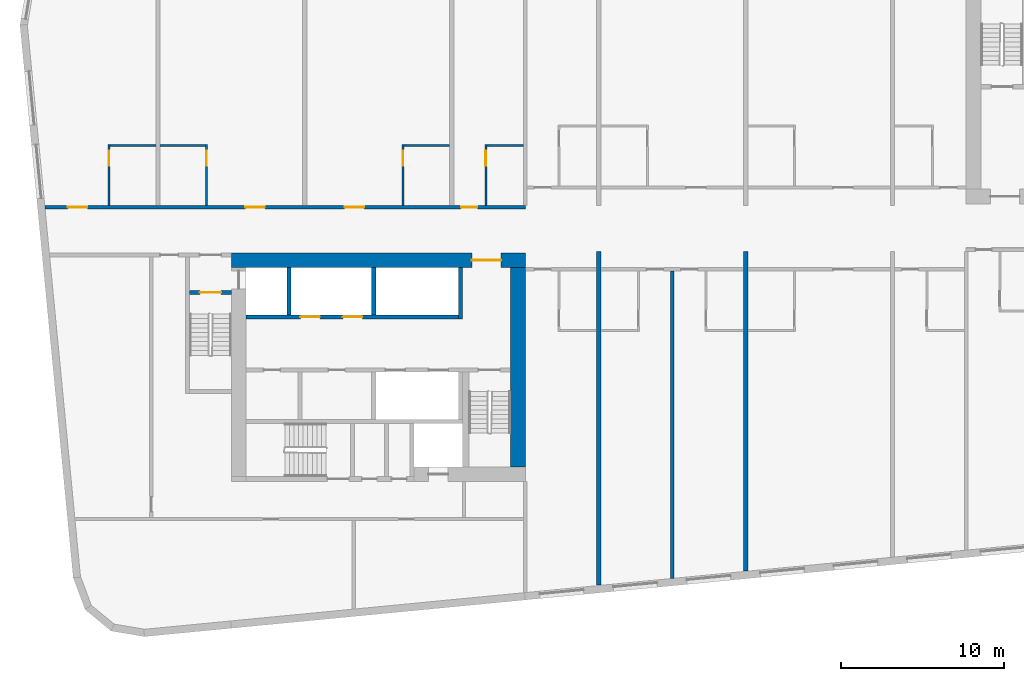
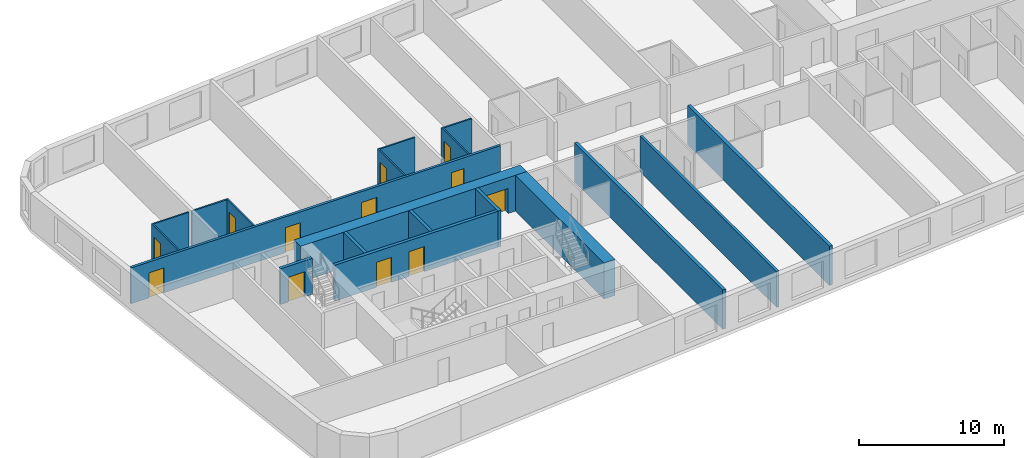
# One storey, part 3 of 12: 19 walls, 12 doors, 12 openings.
"""IFC4 building model written with IfcOpenShell, lengths in metres."""

from ifc_helpers import new_model, si_unit, direction, frame, frame_2d, origin, place, context, subcontext, project, spatial, rectangle, extrude, material, layer, layer_set, type_object, element, fill, save


model = new_model("IFC4")

# Units and contexts
model_context = context("Model", 3, precision=1e-05, world=origin(), true_north=direction((0.0, 1.0)))
body_context = subcontext(model_context, "Body", "Model", "MODEL_VIEW")
ifc_project = project(units=[si_unit("LENGTHUNIT", "METRE"), si_unit("AREAUNIT", "SQUARE_METRE"), si_unit("VOLUMEUNIT", "CUBIC_METRE"), si_unit("PLANEANGLEUNIT", "RADIAN"), si_unit("MASSUNIT", "GRAM", prefix="KILO")], contexts=[model_context])

# Site, building, storey
site_placement = place(None, origin())
site = spatial("IfcSite", under=ifc_project, at=site_placement, CompositionType="ELEMENT")
building_placement = place(site_placement, origin())
building = spatial("IfcBuilding", under=site, at=building_placement, Name="Kajstack Hotel Tower", CompositionType="ELEMENT")
storey_placement = place(building_placement, frame((0.0, 0.0, 190.0)))
storey = spatial("IfcBuildingStorey", under=building, at=storey_placement, Name="L45", CompositionType="ELEMENT", Elevation=190.0)

# Wall, opening, door
ifc_material_1 = material(Name="Concrete C60/75", Category="concrete")
ifc_layer_1 = layer(ifc_material_1, 0.89990234375)
ifc_layer_set_1 = layer_set([ifc_layer_1], Name="Core wall 900")
wall_type_1 = type_object("IfcWallType", Name="Core wall 900", PredefinedType="SHEAR", material=ifc_layer_set_1)
wall_1_placement = place(storey_placement, frame((-31.5, -1.949951171875, 0.0), z_axis=(0.0, 0.0, 1.0), x_axis=(1.0, 0.0, 0.0)))
wall_1 = element("IfcWall", 1, at=wall_1_placement, inside=storey, type_object=wall_type_1, Name="Core wall W RN", PredefinedType="SHEAR", context=body_context, shape_type="SweptSolid", body=[
    extrude(rectangle(XDim=18.0, YDim=0.89990234375, at=frame_2d((9.0, 0.0))), origin(), (0.0, 0.0, 1.0), 3.02001953125),
])
opening_1_placement = place(wall_1_placement, frame((14.72509765625, 0.0, 0.0)))
opening_1 = element("IfcOpeningElement", 2, at=opening_1_placement, cuts=wall_1, Name="Opening 45W07", PredefinedType="OPENING", context=body_context, shape_type="SweptSolid", body=[
    extrude(rectangle(XDim=1.800048828125, YDim=2.10009765625, at=frame_2d((0.89990234375, 1.050048828125))), frame((0.0, 0.4599609375, 0.0), z_axis=(0.0, -1.0, 0.0), x_axis=(1.0, 0.0, 0.0)), (0.0, 0.0, 1.0), 0.919921875),
])
ifc_material_2 = material(Name="Glazed steel frame, fire-rated glass", Category="steel")
door_type_1 = type_object("IfcDoorType", Name="Lobby double door 1800", OperationType="DOUBLE_DOOR_DOUBLE_SWING", PredefinedType="DOOR", material=ifc_material_2)
door_1_placement = place(opening_1_placement, origin())
door_1 = element("IfcDoor", 3, at=door_1_placement, inside=storey, type_object=door_type_1, Name="Door 45W07", OperationType="DOUBLE_DOOR_DOUBLE_SWING", OverallHeight=2.10009765625, OverallWidth=1.800048828125, PredefinedType="DOOR", context=body_context, shape_type="SweptSolid", body=[
    extrude(rectangle(XDim=1.800048828125, YDim=2.10009765625, at=frame_2d((0.89990234375, 1.050048828125))), frame((0.0, 0.02490234375, 0.0), z_axis=(0.0, -1.0, 0.0), x_axis=(1.0, 0.0, 0.0)), (0.0, 0.0, 1.0), 0.050048828125),
])
fill(opening_1, door_1)

# Wall
wall_2_placement = place(storey_placement, frame((-13.949951171875, -14.60009765625, 0.0), z_axis=(0.0, 0.0, 1.0), x_axis=(0.0, 1.0, 0.0)))
element("IfcWall", 4, at=wall_2_placement, inside=storey, type_object=wall_type_1, Name="Core wall W RE", PredefinedType="SHEAR", context=body_context, shape_type="SweptSolid", body=[
    extrude(rectangle(XDim=12.2001953125, YDim=0.89990234375, at=frame_2d((6.10009765625, 0.0))), origin(), (0.0, 0.0, 1.0), 3.02001953125),
])

# Wall, openings, doors
ifc_material_3 = material(Name="Gypsum board on steel studs, mineral wool", Category="steel")
ifc_layer_2 = layer(ifc_material_3, 0.199951171875)
ifc_layer_set_2 = layer_set([ifc_layer_2], Name="Corridor wall 200")
wall_type_2 = type_object("IfcWallType", Name="Corridor wall 200", PredefinedType="PARTITIONING", material=ifc_layer_set_2)
wall_3_placement = place(storey_placement, frame((-42.9130859375, 1.300048828125, 0.0), z_axis=(0.0, 0.0, 1.0), x_axis=(1.0, 0.0, 0.0)))
wall_3 = element("IfcWall", 5, at=wall_3_placement, inside=storey, type_object=wall_type_2, Name="G-wall-L45-003", PredefinedType="PARTITIONING", context=body_context, shape_type="SweptSolid", body=[
    extrude(rectangle(XDim=29.4130859375, YDim=0.199951171875, at=frame_2d((14.70654296875, 0.0))), origin(), (0.0, 0.0, 1.0), 3.02001953125),
])
opening_2_placement = place(wall_3_placement, frame((1.406005859375, 0.0, 0.0)))
opening_2 = element("IfcOpeningElement", 6, at=opening_2_placement, cuts=wall_3, Name="Opening 45001", PredefinedType="OPENING", context=body_context, shape_type="SweptSolid", body=[
    extrude(rectangle(XDim=1.199951171875, YDim=2.10009765625, at=frame_2d((0.60009765625, 1.050048828125))), frame((0.0, 0.10986328125, 0.0), z_axis=(0.0, -1.0, 0.0), x_axis=(1.0, 0.0, 0.0)), (0.0, 0.0, 1.0), 0.219970703125),
])
opening_3_placement = place(wall_3_placement, frame((12.27490234375, 0.0, 0.0)))
opening_3 = element("IfcOpeningElement", 7, at=opening_3_placement, cuts=wall_3, Name="Opening 45003", PredefinedType="OPENING", context=body_context, shape_type="SweptSolid", body=[
    extrude(rectangle(XDim=1.199951171875, YDim=2.10009765625, at=frame_2d((0.60009765625, 1.050048828125))), frame((0.0, 0.10986328125, 0.0), z_axis=(0.0, -1.0, 0.0), x_axis=(1.0, 0.0, 0.0)), (0.0, 0.0, 1.0), 0.219970703125),
])
opening_4_placement = place(wall_3_placement, frame((18.35009765625, 0.0, 0.0)))
opening_4 = element("IfcOpeningElement", 8, at=opening_4_placement, cuts=wall_3, Name="Opening 45005", PredefinedType="OPENING", context=body_context, shape_type="SweptSolid", body=[
    extrude(rectangle(XDim=1.199951171875, YDim=2.10009765625, at=frame_2d((0.60009765625, 1.050048828125))), frame((0.0, 0.10986328125, 0.0), z_axis=(0.0, -1.0, 0.0), x_axis=(1.0, 0.0, 0.0)), (0.0, 0.0, 1.0), 0.219970703125),
])
opening_5_placement = place(wall_3_placement, frame((25.488037109375, 0.0, 0.0)))
opening_5 = element("IfcOpeningElement", 9, at=opening_5_placement, cuts=wall_3, Name="Opening 45007", PredefinedType="OPENING", context=body_context, shape_type="SweptSolid", body=[
    extrude(rectangle(XDim=1.0, YDim=2.10009765625, at=frame_2d((0.5, 1.050048828125))), frame((0.0, 0.10986328125, 0.0), z_axis=(0.0, -1.0, 0.0), x_axis=(1.0, 0.0, 0.0)), (0.0, 0.0, 1.0), 0.219970703125),
])
ifc_material_4 = material(Name="Oak veneer on timber core, fire-rated leaf", Category="wood")
door_type_2 = type_object("IfcDoorType", Name="Flat entrance door 1000", OperationType="SINGLE_SWING_LEFT", PredefinedType="DOOR", material=ifc_material_4)
door_2_placement = place(opening_5_placement, origin())
door_2 = element("IfcDoor", 10, at=door_2_placement, inside=storey, type_object=door_type_2, Name="G-door-L45-07", OperationType="SINGLE_SWING_RIGHT", OverallHeight=2.10009765625, OverallWidth=1.0, PredefinedType="DOOR", context=body_context, shape_type="SweptSolid", body=[
    extrude(rectangle(XDim=1.0, YDim=2.10009765625, at=frame_2d((0.5, 1.050048828125))), frame((0.0, 0.02490234375, 0.0), z_axis=(0.0, -1.0, 0.0), x_axis=(1.0, 0.0, 0.0)), (0.0, 0.0, 1.0), 0.050048828125),
])
fill(opening_5, door_2)
door_type_3 = type_object("IfcDoorType", Name="Flat entrance door 1200", OperationType="SINGLE_SWING_LEFT", PredefinedType="DOOR", material=ifc_material_4)
door_3_placement = place(opening_2_placement, origin())
door_3 = element("IfcDoor", 11, at=door_3_placement, inside=storey, type_object=door_type_3, Name="G-door-L45-01", OperationType="SINGLE_SWING_RIGHT", OverallHeight=2.10009765625, OverallWidth=1.199951171875, PredefinedType="DOOR", context=body_context, shape_type="SweptSolid", body=[
    extrude(rectangle(XDim=1.199951171875, YDim=2.10009765625, at=frame_2d((0.60009765625, 1.050048828125))), frame((0.0, 0.02490234375, 0.0), z_axis=(0.0, -1.0, 0.0), x_axis=(1.0, 0.0, 0.0)), (0.0, 0.0, 1.0), 0.050048828125),
])
fill(opening_2, door_3)
door_4_placement = place(opening_3_placement, origin())
door_4 = element("IfcDoor", 12, at=door_4_placement, inside=storey, type_object=door_type_3, Name="G-door-L45-03", OperationType="SINGLE_SWING_RIGHT", OverallHeight=2.10009765625, OverallWidth=1.199951171875, PredefinedType="DOOR", context=body_context, shape_type="SweptSolid", body=[
    extrude(rectangle(XDim=1.199951171875, YDim=2.10009765625, at=frame_2d((0.60009765625, 1.050048828125))), frame((0.0, 0.02490234375, 0.0), z_axis=(0.0, -1.0, 0.0), x_axis=(1.0, 0.0, 0.0)), (0.0, 0.0, 1.0), 0.050048828125),
])
fill(opening_3, door_4)
door_5_placement = place(opening_4_placement, origin())
door_5 = element("IfcDoor", 13, at=door_5_placement, inside=storey, type_object=door_type_3, Name="G-door-L45-05", OperationType="SINGLE_SWING_RIGHT", OverallHeight=2.10009765625, OverallWidth=1.199951171875, PredefinedType="DOOR", context=body_context, shape_type="SweptSolid", body=[
    extrude(rectangle(XDim=1.199951171875, YDim=2.10009765625, at=frame_2d((0.60009765625, 1.050048828125))), frame((0.0, 0.02490234375, 0.0), z_axis=(0.0, -1.0, 0.0), x_axis=(1.0, 0.0, 0.0)), (0.0, 0.0, 1.0), 0.050048828125),
])
fill(opening_4, door_5)

# Wall
ifc_material_5 = material(Name="Twin-frame gypsum board on steel studs, mineral wool", Category="steel")
ifc_layer_3 = layer(ifc_material_5, 0.199951171875)
ifc_layer_set_3 = layer_set([ifc_layer_3], Name="Demising wall 200")
wall_type_3 = type_object("IfcWallType", Name="Demising wall 200", PredefinedType="PARTITIONING", material=ifc_layer_set_3)
wall_4_placement = place(storey_placement, frame((-4.5, -21.43408203125, 0.0), z_axis=(0.0, 0.0, 1.0), x_axis=(0.0, 1.0, 0.0)))
element("IfcWall", 14, at=wall_4_placement, inside=storey, type_object=wall_type_3, Name="G-wall-L45-026", PredefinedType="PARTITIONING", context=body_context, shape_type="SweptSolid", body=[
    extrude(rectangle(XDim=18.833984375, YDim=0.199951171875, at=frame_2d((9.4169921875, 0.0))), origin(), (0.0, 0.0, 1.0), 3.02001953125),
])

# Wall, opening, door
ifc_material_6 = material(Name="Gypsum board and tiled backer on steel studs", Category="steel")
ifc_layer_4 = layer(ifc_material_6, 0.125)
ifc_layer_set_4 = layer_set([ifc_layer_4], Name="En-suite wall 125")
wall_type_4 = type_object("IfcWallType", Name="En-suite wall 125", PredefinedType="PARTITIONING", material=ifc_layer_set_4)
wall_5_placement = place(storey_placement, frame((-38.987060546875, 1.39990234375, 0.0), z_axis=(0.0, 0.0, 1.0), x_axis=(0.0, 1.0, 0.0)))
wall_5 = element("IfcWall", 15, at=wall_5_placement, inside=storey, type_object=wall_type_4, Name="G-wall-L45-005", PredefinedType="PARTITIONING", context=body_context, shape_type="SweptSolid", body=[
    extrude(rectangle(XDim=3.72509765625, YDim=0.125, at=frame_2d((1.862548828125, 0.0))), origin(), (0.0, 0.0, 1.0), 3.02001953125),
])
opening_6_placement = place(wall_5_placement, frame((2.449951171875, 0.0, 0.0)))
opening_6 = element("IfcOpeningElement", 16, at=opening_6_placement, cuts=wall_5, Name="Opening 45002", PredefinedType="OPENING", context=body_context, shape_type="SweptSolid", body=[
    extrude(rectangle(XDim=0.89990234375, YDim=2.10009765625, at=frame_2d((0.449951171875, 1.050048828125))), frame((0.0, 0.072509765625, 0.0), z_axis=(0.0, -1.0, 0.0), x_axis=(1.0, 0.0, 0.0)), (0.0, 0.0, 1.0), 0.14501953125),
])
ifc_material_7 = material(Name="Painted timber door leaf", Category="wood")
door_type_4 = type_object("IfcDoorType", Name="Room door 900", OperationType="SINGLE_SWING_LEFT", PredefinedType="DOOR", material=ifc_material_7)
door_6_placement = place(opening_6_placement, origin())
door_6 = element("IfcDoor", 17, at=door_6_placement, inside=storey, type_object=door_type_4, Name="G-door-L45-02", OperationType="SINGLE_SWING_RIGHT", OverallHeight=2.10009765625, OverallWidth=0.89990234375, PredefinedType="DOOR", context=body_context, shape_type="SweptSolid", body=[
    extrude(rectangle(XDim=0.89990234375, YDim=2.10009765625, at=frame_2d((0.449951171875, 1.050048828125))), frame((0.0, 0.02490234375, 0.0), z_axis=(0.0, -1.0, 0.0), x_axis=(1.0, 0.0, 0.0)), (0.0, 0.0, 1.0), 0.050048828125),
])
fill(opening_6, door_6)

# Wall
wall_6_placement = place(storey_placement, frame((-38.925048828125, 5.06201171875, 0.0), z_axis=(0.0, 0.0, 1.0), x_axis=(1.0, 0.0, 0.0)))
element("IfcWall", 18, at=wall_6_placement, inside=storey, type_object=wall_type_4, Name="G-wall-L45-006", PredefinedType="PARTITIONING", context=body_context, shape_type="SweptSolid", body=[
    extrude(rectangle(XDim=2.800048828125, YDim=0.125, at=frame_2d((1.39990234375, 0.0))), origin(), (0.0, 0.0, 1.0), 3.02001953125),
])

# Wall, opening, door
wall_7_placement = place(storey_placement, frame((-33.012939453125, 1.39990234375, 0.0), z_axis=(0.0, 0.0, 1.0), x_axis=(0.0, 1.0, 0.0)))
wall_7 = element("IfcWall", 19, at=wall_7_placement, inside=storey, type_object=wall_type_4, Name="G-wall-L45-007", PredefinedType="PARTITIONING", context=body_context, shape_type="SweptSolid", body=[
    extrude(rectangle(XDim=3.72509765625, YDim=0.125, at=frame_2d((1.862548828125, 0.0))), origin(), (0.0, 0.0, 1.0), 3.02001953125),
])
opening_7_placement = place(wall_7_placement, frame((2.449951171875, 0.0, 0.0)))
opening_7 = element("IfcOpeningElement", 20, at=opening_7_placement, cuts=wall_7, Name="Opening 45004", PredefinedType="OPENING", context=body_context, shape_type="SweptSolid", body=[
    extrude(rectangle(XDim=0.89990234375, YDim=2.10009765625, at=frame_2d((0.449951171875, 1.050048828125))), frame((0.0, 0.072509765625, 0.0), z_axis=(0.0, -1.0, 0.0), x_axis=(1.0, 0.0, 0.0)), (0.0, 0.0, 1.0), 0.14501953125),
])
door_7_placement = place(opening_7_placement, origin())
door_7 = element("IfcDoor", 21, at=door_7_placement, inside=storey, type_object=door_type_4, Name="G-door-L45-04", OperationType="SINGLE_SWING_RIGHT", OverallHeight=2.10009765625, OverallWidth=0.89990234375, PredefinedType="DOOR", context=body_context, shape_type="SweptSolid", body=[
    extrude(rectangle(XDim=0.89990234375, YDim=2.10009765625, at=frame_2d((0.449951171875, 1.050048828125))), frame((0.0, 0.02490234375, 0.0), z_axis=(0.0, -1.0, 0.0), x_axis=(1.0, 0.0, 0.0)), (0.0, 0.0, 1.0), 0.050048828125),
])
fill(opening_7, door_7)

# Wall
wall_8_placement = place(storey_placement, frame((-35.875, 5.06201171875, 0.0), z_axis=(0.0, 0.0, 1.0), x_axis=(1.0, 0.0, 0.0)))
element("IfcWall", 22, at=wall_8_placement, inside=storey, type_object=wall_type_4, Name="G-wall-L45-008", PredefinedType="PARTITIONING", context=body_context, shape_type="SweptSolid", body=[
    extrude(rectangle(XDim=2.800048828125, YDim=0.125, at=frame_2d((1.39990234375, 0.0))), origin(), (0.0, 0.0, 1.0), 3.02001953125),
])

# Wall, opening, door
wall_9_placement = place(storey_placement, frame((-20.988037109375, 1.39990234375, 0.0), z_axis=(0.0, 0.0, 1.0), x_axis=(0.0, 1.0, 0.0)))
wall_9 = element("IfcWall", 23, at=wall_9_placement, inside=storey, type_object=wall_type_4, Name="G-wall-L45-009", PredefinedType="PARTITIONING", context=body_context, shape_type="SweptSolid", body=[
    extrude(rectangle(XDim=3.72509765625, YDim=0.125, at=frame_2d((1.862548828125, 0.0))), origin(), (0.0, 0.0, 1.0), 3.02001953125),
])
opening_8_placement = place(wall_9_placement, frame((2.449951171875, 0.0, 0.0)))
opening_8 = element("IfcOpeningElement", 24, at=opening_8_placement, cuts=wall_9, Name="Opening 45006", PredefinedType="OPENING", context=body_context, shape_type="SweptSolid", body=[
    extrude(rectangle(XDim=0.89990234375, YDim=2.10009765625, at=frame_2d((0.449951171875, 1.050048828125))), frame((0.0, 0.072509765625, 0.0), z_axis=(0.0, -1.0, 0.0), x_axis=(1.0, 0.0, 0.0)), (0.0, 0.0, 1.0), 0.14501953125),
])
door_8_placement = place(opening_8_placement, origin())
door_8 = element("IfcDoor", 25, at=door_8_placement, inside=storey, type_object=door_type_4, Name="G-door-L45-06", OperationType="SINGLE_SWING_RIGHT", OverallHeight=2.10009765625, OverallWidth=0.89990234375, PredefinedType="DOOR", context=body_context, shape_type="SweptSolid", body=[
    extrude(rectangle(XDim=0.89990234375, YDim=2.10009765625, at=frame_2d((0.449951171875, 1.050048828125))), frame((0.0, 0.02490234375, 0.0), z_axis=(0.0, -1.0, 0.0), x_axis=(1.0, 0.0, 0.0)), (0.0, 0.0, 1.0), 0.050048828125),
])
fill(opening_8, door_8)

# Wall
wall_10_placement = place(storey_placement, frame((-20.925048828125, 5.06201171875, 0.0), z_axis=(0.0, 0.0, 1.0), x_axis=(1.0, 0.0, 0.0)))
element("IfcWall", 26, at=wall_10_placement, inside=storey, type_object=wall_type_4, Name="G-wall-L45-010", PredefinedType="PARTITIONING", context=body_context, shape_type="SweptSolid", body=[
    extrude(rectangle(XDim=2.800048828125, YDim=0.125, at=frame_2d((1.39990234375, 0.0))), origin(), (0.0, 0.0, 1.0), 3.02001953125),
])

# Wall, opening, door
wall_11_placement = place(storey_placement, frame((-15.912109375, 1.39990234375, 0.0), z_axis=(0.0, 0.0, 1.0), x_axis=(0.0, 1.0, 0.0)))
wall_11 = element("IfcWall", 27, at=wall_11_placement, inside=storey, type_object=wall_type_4, Name="G-wall-L45-012", PredefinedType="PARTITIONING", context=body_context, shape_type="SweptSolid", body=[
    extrude(rectangle(XDim=3.72509765625, YDim=0.125, at=frame_2d((1.862548828125, 0.0))), origin(), (0.0, 0.0, 1.0), 3.02001953125),
])
opening_9_placement = place(wall_11_placement, frame((2.449951171875, 0.0, 0.0)))
opening_9 = element("IfcOpeningElement", 28, at=opening_9_placement, cuts=wall_11, Name="Opening 45008", PredefinedType="OPENING", context=body_context, shape_type="SweptSolid", body=[
    extrude(rectangle(XDim=0.89990234375, YDim=2.10009765625, at=frame_2d((0.449951171875, 1.050048828125))), frame((0.0, 0.072509765625, 0.0), z_axis=(0.0, -1.0, 0.0), x_axis=(1.0, 0.0, 0.0)), (0.0, 0.0, 1.0), 0.14501953125),
])
door_9_placement = place(opening_9_placement, origin())
door_9 = element("IfcDoor", 29, at=door_9_placement, inside=storey, type_object=door_type_4, Name="G-door-L45-08", OperationType="SINGLE_SWING_RIGHT", OverallHeight=2.10009765625, OverallWidth=0.89990234375, PredefinedType="DOOR", context=body_context, shape_type="SweptSolid", body=[
    extrude(rectangle(XDim=0.89990234375, YDim=2.10009765625, at=frame_2d((0.449951171875, 1.050048828125))), frame((0.0, 0.02490234375, 0.0), z_axis=(0.0, -1.0, 0.0), x_axis=(1.0, 0.0, 0.0)), (0.0, 0.0, 1.0), 0.050048828125),
])
fill(opening_9, door_9)

# Walls
wall_12_placement = place(storey_placement, frame((-15.85009765625, 5.06201171875, 0.0), z_axis=(0.0, 0.0, 1.0), x_axis=(1.0, 0.0, 0.0)))
element("IfcWall", 30, at=wall_12_placement, inside=storey, type_object=wall_type_4, Name="G-wall-L45-013", PredefinedType="PARTITIONING", context=body_context, shape_type="SweptSolid", body=[
    extrude(rectangle(XDim=2.25, YDim=0.125, at=frame_2d((1.125, 0.0))), origin(), (0.0, 0.0, 1.0), 3.02001953125),
])
ifc_material_8 = material(Name="Concrete C50/60", Category="concrete")
ifc_layer_5 = layer(ifc_material_8, 0.300048828125)
ifc_layer_set_5 = layer_set([ifc_layer_5], Name="Hoistway divider wall 300")
wall_type_5 = type_object("IfcWallType", Name="Hoistway divider wall 300", PredefinedType="SHEAR", material=ifc_layer_set_5)
wall_13_placement = place(storey_placement, frame((-22.77490234375, -5.300048828125, 0.0), z_axis=(0.0, 0.0, 1.0), x_axis=(0.0, 1.0, 0.0)))
element("IfcWall", 31, at=wall_13_placement, inside=storey, type_object=wall_type_5, Name="Core wall W AP2", PredefinedType="SHEAR", context=body_context, shape_type="SweptSolid", body=[
    extrude(rectangle(XDim=2.900146484375, YDim=0.25, at=frame_2d((1.4501953125, 0.0))), origin(), (0.0, 0.0, 1.0), 3.02001953125),
])
ifc_layer_6 = layer(ifc_material_8, 0.25)
ifc_layer_set_6 = layer_set([ifc_layer_6], Name="RC cross wall 250 C50/60")
wall_type_6 = type_object("IfcWallType", Name="RC cross wall 250 C50/60", PredefinedType="SHEAR", material=ifc_layer_set_6)
wall_14_placement = place(storey_placement, frame((-9.0, -21.84521484375, 0.0), z_axis=(0.0, 0.0, 1.0), x_axis=(0.0, 1.0, 0.0)))
element("IfcWall", 32, at=wall_14_placement, inside=storey, type_object=wall_type_6, Name="S-wall-L45-04", PredefinedType="SHEAR", context=body_context, shape_type="SweptSolid", body=[
    extrude(rectangle(XDim=20.4453125, YDim=0.25, at=frame_2d((10.22265625, 0.0))), origin(), (0.0, 0.0, 1.0), 3.300048828125),
])
wall_15_placement = place(storey_placement, frame((0.0, -20.978515625, 0.0), z_axis=(0.0, 0.0, 1.0), x_axis=(0.0, 1.0, 0.0)))
element("IfcWall", 33, at=wall_15_placement, inside=storey, type_object=wall_type_6, Name="S-wall-L45-06", PredefinedType="SHEAR", context=body_context, shape_type="SweptSolid", body=[
    extrude(rectangle(XDim=19.57861328125, YDim=0.25, at=frame_2d((9.789306640625, 0.0))), origin(), (0.0, 0.0, 1.0), 3.300048828125),
])

# Wall, openings, doors
ifc_layer_7 = layer(ifc_material_8, 0.25)
ifc_layer_set_7 = layer_set([ifc_layer_7], Name="Shaft wall 250")
wall_type_7 = type_object("IfcWallType", Name="Shaft wall 250", PredefinedType="SHEAR", material=ifc_layer_set_7)
wall_16_placement = place(storey_placement, frame((-30.60009765625, -5.425048828125, 0.0), z_axis=(0.0, 0.0, 1.0), x_axis=(1.0, 0.0, 0.0)))
wall_16 = element("IfcWall", 34, at=wall_16_placement, inside=storey, type_object=wall_type_7, Name="Core wall W FA", PredefinedType="SHEAR", context=body_context, shape_type="SweptSolid", body=[
    extrude(rectangle(XDim=13.0, YDim=0.25, at=frame_2d((6.5, 0.0))), origin(), (0.0, 0.0, 1.0), 3.02001953125),
])
opening_10_placement = place(wall_16_placement, frame((3.324951171875, 0.0, 0.0)))
opening_10 = element("IfcOpeningElement", 35, at=opening_10_placement, cuts=wall_16, Name="Opening LD-MR3", PredefinedType="OPENING", context=body_context, shape_type="SweptSolid", body=[
    extrude(rectangle(XDim=1.199951171875, YDim=2.10009765625, at=frame_2d((0.60009765625, 1.050048828125))), frame((0.0, 0.135009765625, 0.0), z_axis=(0.0, -1.0, 0.0), x_axis=(1.0, 0.0, 0.0)), (0.0, 0.0, 1.0), 0.27001953125),
])
opening_11_placement = place(wall_16_placement, frame((5.925048828125, 0.0, 0.0)))
opening_11 = element("IfcOpeningElement", 36, at=opening_11_placement, cuts=wall_16, Name="Opening LD-MR4", PredefinedType="OPENING", context=body_context, shape_type="SweptSolid", body=[
    extrude(rectangle(XDim=1.199951171875, YDim=2.10009765625, at=frame_2d((0.60009765625, 1.050048828125))), frame((0.0, 0.135009765625, 0.0), z_axis=(0.0, -1.0, 0.0), x_axis=(1.0, 0.0, 0.0)), (0.0, 0.0, 1.0), 0.27001953125),
])
ifc_material_9 = material(Name="Stainless steel", Category="steel")
door_type_5 = type_object("IfcDoorType", Name="Lift landing door 1200", OperationType="SLIDING_TO_LEFT", PredefinedType="DOOR", material=ifc_material_9)
door_10_placement = place(opening_10_placement, origin())
door_10 = element("IfcDoor", 37, at=door_10_placement, inside=storey, type_object=door_type_5, Name="Landing door MR3", OperationType="SLIDING_TO_RIGHT", OverallHeight=2.10009765625, OverallWidth=1.199951171875, PredefinedType="DOOR", context=body_context, shape_type="SweptSolid", body=[
    extrude(rectangle(XDim=1.199951171875, YDim=2.10009765625, at=frame_2d((0.60009765625, 1.050048828125))), frame((0.0, 0.02490234375, 0.0), z_axis=(0.0, -1.0, 0.0), x_axis=(1.0, 0.0, 0.0)), (0.0, 0.0, 1.0), 0.050048828125),
])
fill(opening_10, door_10)
door_11_placement = place(opening_11_placement, origin())
door_11 = element("IfcDoor", 38, at=door_11_placement, inside=storey, type_object=door_type_5, Name="Landing door MR4", OperationType="SLIDING_TO_RIGHT", OverallHeight=2.10009765625, OverallWidth=1.199951171875, PredefinedType="DOOR", context=body_context, shape_type="SweptSolid", body=[
    extrude(rectangle(XDim=1.199951171875, YDim=2.10009765625, at=frame_2d((0.60009765625, 1.050048828125))), frame((0.0, 0.02490234375, 0.0), z_axis=(0.0, -1.0, 0.0), x_axis=(1.0, 0.0, 0.0)), (0.0, 0.0, 1.0), 0.050048828125),
])
fill(opening_11, door_11)

# Walls
wall_17_placement = place(storey_placement, frame((-17.47509765625, -5.550048828125, 0.0), z_axis=(0.0, 0.0, 1.0), x_axis=(0.0, 1.0, 0.0)))
element("IfcWall", 39, at=wall_17_placement, inside=storey, type_object=wall_type_7, Name="Core wall W AE", PredefinedType="SHEAR", context=body_context, shape_type="SweptSolid", body=[
    extrude(rectangle(XDim=3.150146484375, YDim=0.25, at=frame_2d((1.5751953125, 0.0))), origin(), (0.0, 0.0, 1.0), 3.02001953125),
])
wall_18_placement = place(storey_placement, frame((-27.97509765625, -5.300048828125, 0.0), z_axis=(0.0, 0.0, 1.0), x_axis=(0.0, 1.0, 0.0)))
element("IfcWall", 40, at=wall_18_placement, inside=storey, type_object=wall_type_7, Name="Core wall W AP0", PredefinedType="SHEAR", context=body_context, shape_type="SweptSolid", body=[
    extrude(rectangle(XDim=2.900146484375, YDim=0.25, at=frame_2d((1.4501953125, 0.0))), origin(), (0.0, 0.0, 1.0), 3.02001953125),
])

# Wall, opening, door
ifc_material_10 = material(Name="Concrete C40/50", Category="concrete")
ifc_layer_8 = layer(ifc_material_10, 0.25)
ifc_layer_set_8 = layer_set([ifc_layer_8], Name="Stair enclosure wall 250")
wall_type_8 = type_object("IfcWallType", Name="Stair enclosure wall 250", PredefinedType="SHEAR", material=ifc_layer_set_8)
wall_19_placement = place(storey_placement, frame((-34.050048828125, -3.925048828125, 0.0), z_axis=(0.0, 0.0, 1.0), x_axis=(1.0, 0.0, 0.0)))
wall_19 = element("IfcWall", 41, at=wall_19_placement, inside=storey, type_object=wall_type_8, Name="Core wall W W1N", PredefinedType="SHEAR", context=body_context, shape_type="SweptSolid", body=[
    extrude(rectangle(XDim=2.550048828125, YDim=0.25, at=frame_2d((1.27490234375, 0.0))), origin(), (0.0, 0.0, 1.0), 3.02001953125),
])
opening_12_placement = place(wall_19_placement, frame((0.625, 0.0, 0.0)))
opening_12 = element("IfcOpeningElement", 42, at=opening_12_placement, cuts=wall_19, Name="Opening 45W09", PredefinedType="OPENING", context=body_context, shape_type="SweptSolid", body=[
    extrude(rectangle(XDim=1.300048828125, YDim=2.10009765625, at=frame_2d((0.64990234375, 1.050048828125))), frame((0.0, 0.135009765625, 0.0), z_axis=(0.0, -1.0, 0.0), x_axis=(1.0, 0.0, 0.0)), (0.0, 0.0, 1.0), 0.27001953125),
])
ifc_material_11 = material(Name="Steel leaf, fire-rated", Category="steel")
door_type_6 = type_object("IfcDoorType", Name="Stair door 1300", OperationType="SINGLE_SWING_LEFT", PredefinedType="DOOR", material=ifc_material_11)
door_12_placement = place(opening_12_placement, origin())
door_12 = element("IfcDoor", 43, at=door_12_placement, inside=storey, type_object=door_type_6, Name="Door 45W09", OperationType="SINGLE_SWING_RIGHT", OverallHeight=2.10009765625, OverallWidth=1.300048828125, PredefinedType="DOOR", context=body_context, shape_type="SweptSolid", body=[
    extrude(rectangle(XDim=1.300048828125, YDim=2.10009765625, at=frame_2d((0.64990234375, 1.050048828125))), frame((0.0, 0.02490234375, 0.0), z_axis=(0.0, -1.0, 0.0), x_axis=(1.0, 0.0, 0.0)), (0.0, 0.0, 1.0), 0.050048828125),
])
fill(opening_12, door_12)

save(model, "model.ifc")
